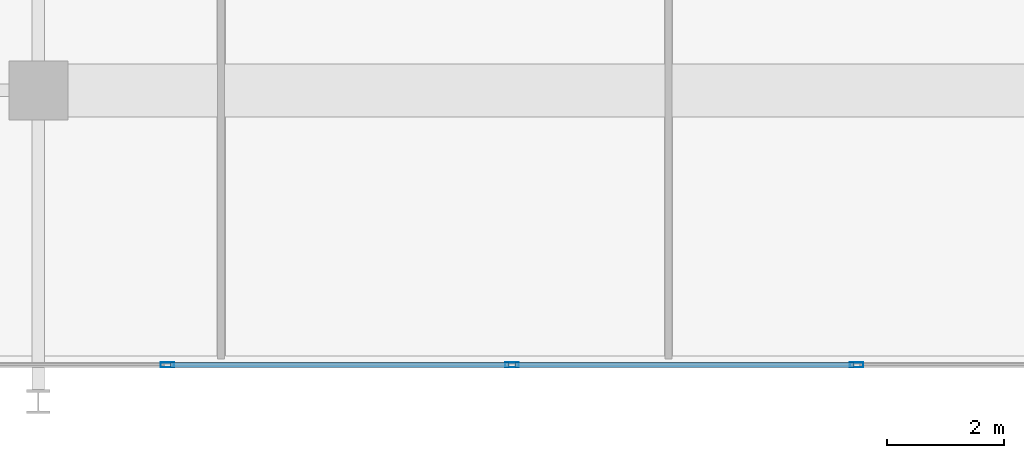
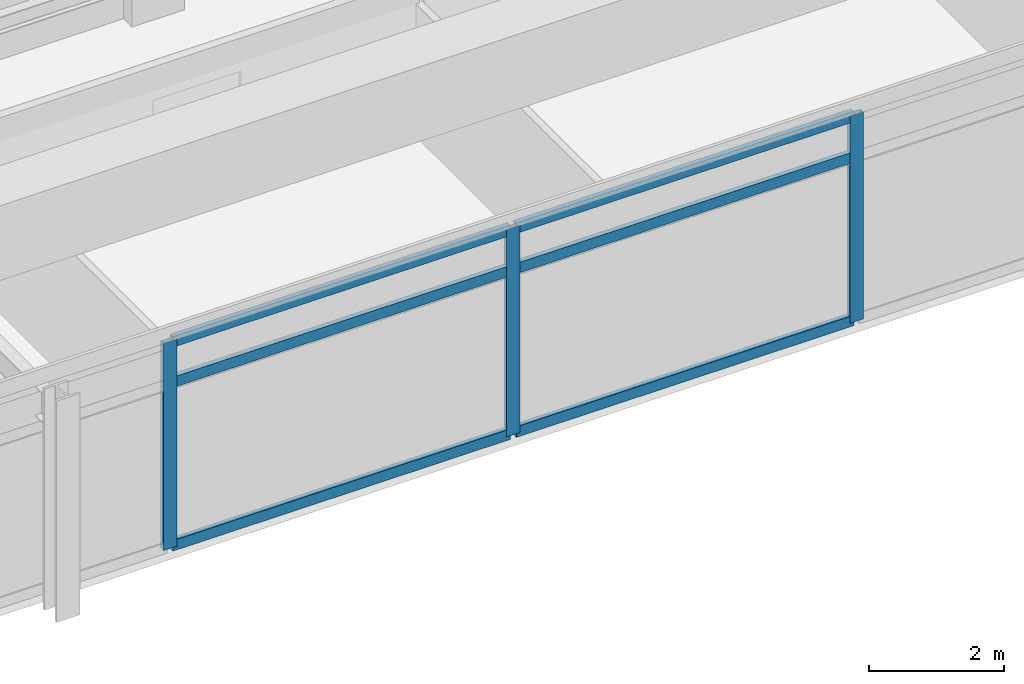
# One storey, part 4 of 20: 9 members, 1 element without a shape of its own.
"""IFC4 building model written with IfcOpenShell, lengths in metres."""

from ifc_helpers import new_model, si_unit, direction, frame, origin, origin_2d, place, context, subcontext, project, spatial, hollow_rectangle, extrude, material, material_profile, profile_set, type_object, element, aggregate, save


model = new_model("IFC4")

# Units and contexts
model_context = context("Model", 3, precision=1e-05, world=origin(), true_north=direction((0.0, 1.0)))
body_context = subcontext(model_context, "Body", "Model", "MODEL_VIEW")
ifc_project = project(units=[si_unit("LENGTHUNIT", "METRE"), si_unit("AREAUNIT", "SQUARE_METRE"), si_unit("VOLUMEUNIT", "CUBIC_METRE"), si_unit("PLANEANGLEUNIT", "RADIAN"), si_unit("MASSUNIT", "GRAM", prefix="KILO")], contexts=[model_context])

# Site, building, storey
site_placement = place(None, origin())
site = spatial("IfcSite", under=ifc_project, at=site_placement, CompositionType="ELEMENT")
building_placement = place(site_placement, origin())
building = spatial("IfcBuilding", under=site, at=building_placement, Name="Kovane Verandah Tower", CompositionType="ELEMENT")
storey_placement = place(building_placement, frame((0.0, 0.0, 334.800048828125)))
storey = spatial("IfcBuildingStorey", under=building, at=storey_placement, Name="L78", CompositionType="ELEMENT", Elevation=334.800048828125)

# Curtain wall, members
ifc_material_1 = material(Name="Champagne Anodised Aluminium Frame with Low-E Clear Laminated Glass", Category="aluminium")
curtain_wall_type = type_object("IfcCurtainWallType", Name="CW-SYS-05-HIGH", PredefinedType="NOTDEFINED", material=ifc_material_1)
curtain_wall_placement = place(storey_placement, origin())
curtain_wall = element("IfcCurtainWall", 1, at=curtain_wall_placement, inside=storey, type_object=curtain_wall_type, Name="L78 S Unitised Curtain Wall", PredefinedType="NOTDEFINED")
ifc_material_2 = material(Name="Champagne Anodised Aluminium 6063-T6", Category="aluminium")
ifc_material_profile_1 = material_profile(ifc_material_2, hollow_rectangle(XDim=0.0849609375, YDim=0.22998046875, WallThickness=0.00390625, at=origin_2d()), Name="AL85x230x4")
ifc_profile_set_1 = profile_set([ifc_material_profile_1], Name="Champagne Anodised Aluminium 6063-T6")
member_type_1 = type_object("IfcMemberType", Name="CW-MUL-85x230", PredefinedType="MULLION", material=ifc_profile_set_1)
member_1_placement = place(storey_placement, frame((31.1953125, 6.127685546875, 0.02001953125), z_axis=(0.0, 0.0, 1.0), x_axis=(0.0, -1.0, 0.0)))
member_1 = element("IfcMember", 2, at=member_1_placement, type_object=member_type_1, Name="L78 S Unitised Curtain Wall Mullion 3", PredefinedType="MULLION", context=body_context, shape_type="SweptSolid", body=[
    extrude(hollow_rectangle(XDim=0.0849609375, YDim=0.22998046875, WallThickness=0.00390625, at=origin_2d()), origin(), (0.0, 0.0, 1.0), 3.744873046875),
])
member_2_placement = place(storey_placement, frame((37.065185546875, 6.127685546875, 0.02001953125), z_axis=(0.0, 0.0, 1.0), x_axis=(0.0, -1.0, 0.0)))
member_2 = element("IfcMember", 3, at=member_2_placement, type_object=member_type_1, Name="L78 S Unitised Curtain Wall Mullion 4", PredefinedType="MULLION", context=body_context, shape_type="SweptSolid", body=[
    extrude(hollow_rectangle(XDim=0.0849609375, YDim=0.22998046875, WallThickness=0.00390625, at=origin_2d()), origin(), (0.0, 0.0, 1.0), 3.744873046875),
])
member_3_placement = place(storey_placement, frame((42.934814453125, 6.127685546875, 0.02001953125), z_axis=(0.0, 0.0, 1.0), x_axis=(0.0, -1.0, 0.0)))
member_3 = element("IfcMember", 4, at=member_3_placement, type_object=member_type_1, Name="L78 S Unitised Curtain Wall Mullion 5", PredefinedType="MULLION", context=body_context, shape_type="SweptSolid", body=[
    extrude(hollow_rectangle(XDim=0.0849609375, YDim=0.22998046875, WallThickness=0.00390625, at=origin_2d()), origin(), (0.0, 0.0, 1.0), 3.744873046875),
])
ifc_material_profile_2 = material_profile(ifc_material_2, hollow_rectangle(XDim=0.0849609375, YDim=0.18994140625, WallThickness=0.00390625, at=origin_2d()), Name="AL85x190x4")
ifc_profile_set_2 = profile_set([ifc_material_profile_2], Name="Champagne Anodised Aluminium 6063-T6")
member_type_2 = type_object("IfcMemberType", Name="CW-TRN-85x190", PredefinedType="USERDEFINED", material=ifc_profile_set_2)
member_4_placement = place(storey_placement, frame((31.245361328125, 6.127685546875, 0.050048828125), z_axis=(1.0, 0.0, 0.0), x_axis=(0.0, 1.0, 0.0)))
member_4 = element("IfcMember", 5, at=member_4_placement, type_object=member_type_2, Name="L78 S Unitised Curtain Wall Transom TB Bay 3", ObjectType="TRANSOM", PredefinedType="USERDEFINED", context=body_context, shape_type="SweptSolid", body=[
    extrude(hollow_rectangle(XDim=0.0849609375, YDim=0.18994140625, WallThickness=0.00390625, at=origin_2d()), origin(), (0.0, 0.0, 1.0), 5.769775390625),
])
member_5_placement = place(storey_placement, frame((31.245361328125, 6.127685546875, 3.0048828125), z_axis=(1.0, 0.0, 0.0), x_axis=(0.0, 1.0, 0.0)))
member_5 = element("IfcMember", 6, at=member_5_placement, type_object=member_type_2, Name="L78 S Unitised Curtain Wall Transom TM Bay 3", ObjectType="TRANSOM", PredefinedType="USERDEFINED", context=body_context, shape_type="SweptSolid", body=[
    extrude(hollow_rectangle(XDim=0.0849609375, YDim=0.18994140625, WallThickness=0.00390625, at=origin_2d()), origin(), (0.0, 0.0, 1.0), 5.769775390625),
])
member_6_placement = place(storey_placement, frame((31.245361328125, 6.127685546875, 3.73486328125), z_axis=(1.0, 0.0, 0.0), x_axis=(0.0, 1.0, 0.0)))
member_6 = element("IfcMember", 7, at=member_6_placement, type_object=member_type_2, Name="L78 S Unitised Curtain Wall Transom TT Bay 3", ObjectType="TRANSOM", PredefinedType="USERDEFINED", context=body_context, shape_type="SweptSolid", body=[
    extrude(hollow_rectangle(XDim=0.0849609375, YDim=0.18994140625, WallThickness=0.00390625, at=origin_2d()), origin(), (0.0, 0.0, 1.0), 5.769775390625),
])
member_7_placement = place(storey_placement, frame((37.114990234375, 6.127685546875, 0.050048828125), z_axis=(1.0, 0.0, 0.0), x_axis=(0.0, 1.0, 0.0)))
member_7 = element("IfcMember", 8, at=member_7_placement, type_object=member_type_2, Name="L78 S Unitised Curtain Wall Transom TB Bay 4", ObjectType="TRANSOM", PredefinedType="USERDEFINED", context=body_context, shape_type="SweptSolid", body=[
    extrude(hollow_rectangle(XDim=0.0849609375, YDim=0.18994140625, WallThickness=0.00390625, at=origin_2d()), origin(), (0.0, 0.0, 1.0), 5.77001953125),
])
member_8_placement = place(storey_placement, frame((37.114990234375, 6.127685546875, 3.0048828125), z_axis=(1.0, 0.0, 0.0), x_axis=(0.0, 1.0, 0.0)))
member_8 = element("IfcMember", 9, at=member_8_placement, type_object=member_type_2, Name="L78 S Unitised Curtain Wall Transom TM Bay 4", ObjectType="TRANSOM", PredefinedType="USERDEFINED", context=body_context, shape_type="SweptSolid", body=[
    extrude(hollow_rectangle(XDim=0.0849609375, YDim=0.18994140625, WallThickness=0.00390625, at=origin_2d()), origin(), (0.0, 0.0, 1.0), 5.77001953125),
])
member_9_placement = place(storey_placement, frame((37.114990234375, 6.127685546875, 3.73486328125), z_axis=(1.0, 0.0, 0.0), x_axis=(0.0, 1.0, 0.0)))
member_9 = element("IfcMember", 10, at=member_9_placement, type_object=member_type_2, Name="L78 S Unitised Curtain Wall Transom TT Bay 4", ObjectType="TRANSOM", PredefinedType="USERDEFINED", context=body_context, shape_type="SweptSolid", body=[
    extrude(hollow_rectangle(XDim=0.0849609375, YDim=0.18994140625, WallThickness=0.00390625, at=origin_2d()), origin(), (0.0, 0.0, 1.0), 5.77001953125),
])
aggregate(curtain_wall, [member_1, member_2, member_3, member_4, member_5, member_6, member_7, member_8, member_9])

save(model, "model.ifc")
